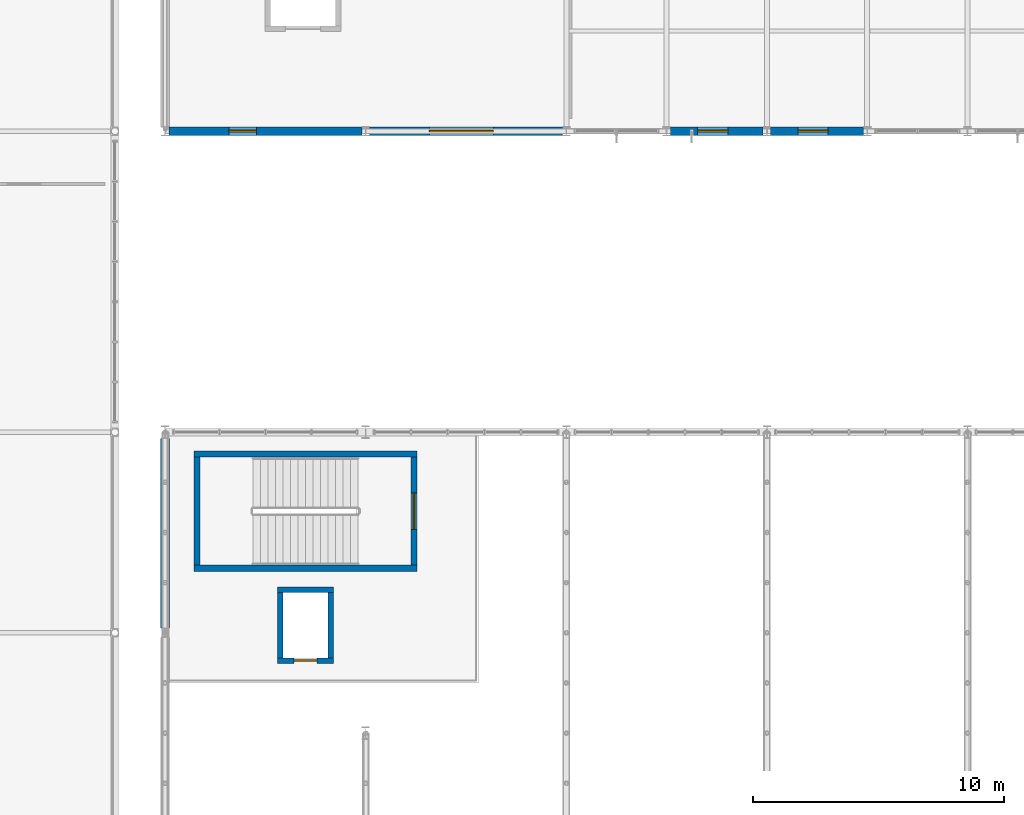
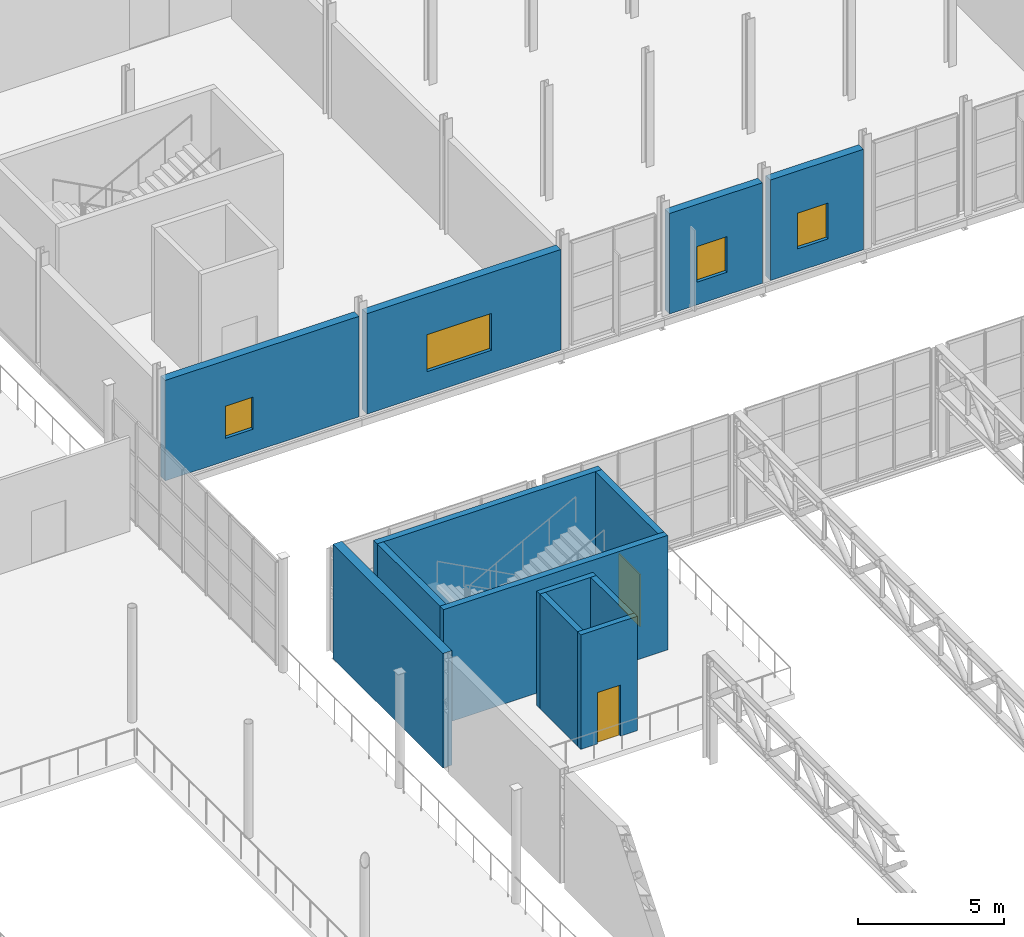
# One storey, part 123 of 143: 13 walls, 4 windows, 2 doors, 6 openings.
"""IFC4 building model written with IfcOpenShell, lengths in metres."""

from ifc_helpers import new_model, si_unit, derived_unit, direction, frame, frame_2d, origin, place, context, subcontext, project, spatial, rectangle, extrude, material, layer, layer_set, type_object, element, fill, save


model = new_model("IFC4")

# Units and contexts
model_context = context("Model", 3, precision=1e-05, world=origin(), true_north=direction((0.0, 1.0)))
body_context = subcontext(model_context, "Body", "Model", "MODEL_VIEW")
ifc_project = project(units=[si_unit("LENGTHUNIT", "METRE"), si_unit("AREAUNIT", "SQUARE_METRE"), si_unit("VOLUMEUNIT", "CUBIC_METRE"), si_unit("PLANEANGLEUNIT", "RADIAN"), si_unit("MASSUNIT", "GRAM", prefix="KILO"), derived_unit("THERMALTRANSMITTANCEUNIT", [(si_unit("POWERUNIT", "WATT"), 1), (si_unit("LENGTHUNIT", "METRE"), -2), (si_unit("THERMODYNAMICTEMPERATUREUNIT", "KELVIN"), -1)])], contexts=[model_context])

# Site, building, storey
site_placement = place(None, origin())
site = spatial("IfcSite", under=ifc_project, at=site_placement, CompositionType="ELEMENT")
building_placement = place(site_placement, origin())
building = spatial("IfcBuilding", under=site, at=building_placement, Name="Keldorne Ridge Multi-Sports Centre", CompositionType="ELEMENT")
storey_placement = place(building_placement, frame((0.0, 0.0, 4.800048828125)))
storey = spatial("IfcBuildingStorey", under=building, at=storey_placement, Name="L01", CompositionType="ELEMENT", Elevation=4.800048828125)

# Wall, opening, window
ifc_material_1 = material(Name="Precast concrete C40/50", Category="concrete")
ifc_layer_1 = layer(ifc_material_1, 0.320068359375)
ifc_layer_set_1 = layer_set([ifc_layer_1], Name="Precast concrete C40/50")
wall_type_1 = type_object("IfcWallType", Name="WAL-PR-W1", PredefinedType="STANDARD", material=ifc_layer_set_1)
wall_1_placement = place(storey_placement, frame((104.152099609375, 66.0, 0.0), z_axis=(0.0, 0.0, 1.0), x_axis=(1.0, 0.0, 0.0)))
wall_1 = element("IfcWall", 1, at=wall_1_placement, inside=storey, type_object=wall_type_1, Name="East Wing L01 south facade 1", PredefinedType="STANDARD", context=body_context, shape_type="SweptSolid", body=[
    extrude(rectangle(XDim=7.69580078125, YDim=0.320068359375, at=frame_2d((3.847900390625, 0.0))), origin(), (0.0, 0.0, 1.0), 4.21484375),
])
opening_1_placement = place(wall_1_placement, frame((2.387939453125, 0.0, 0.949951171875)))
opening_1 = element("IfcOpeningElement", 2, at=opening_1_placement, cuts=wall_1, Name="Opening W-14", PredefinedType="OPENING", context=body_context, shape_type="SweptSolid", body=[
    extrude(rectangle(XDim=1.10009765625, YDim=1.35009765625, at=frame_2d((0.550048828125, 0.675048828125))), frame((0.0, 0.169921875, 0.0), z_axis=(0.0, -1.0, 0.0), x_axis=(1.0, 0.0, 0.0)), (0.0, 0.0, 1.0), 0.340087890625),
])
ifc_material_2 = material(Name="Anodized aluminium", Category="aluminium")
window_type_1 = type_object("IfcWindowType", Name="WIN-W-14", PartitioningType="SINGLE_PANEL", PredefinedType="WINDOW", material=ifc_material_2)
window_1_placement = place(opening_1_placement, origin())
window_1 = element("IfcWindow", 3, at=window_1_placement, inside=storey, type_object=window_type_1, Name="East Wing L01 south window W-054", OverallHeight=1.35009765625, OverallWidth=1.10009765625, PartitioningType="SINGLE_PANEL", PredefinedType="WINDOW", context=body_context, shape_type="SweptSolid", body=[
    extrude(rectangle(XDim=1.10009765625, YDim=1.35009765625, at=frame_2d((0.550048828125, 0.675048828125))), frame((0.0, 0.030029296875, 0.0), z_axis=(0.0, -1.0, 0.0), x_axis=(1.0, 0.0, 0.0)), (0.0, 0.0, 1.0), 0.06005859375),
])
fill(opening_1, window_1)

wall_2_placement = place(storey_placement, frame((112.152099609375, 66.0, 0.0), z_axis=(0.0, 0.0, 1.0), x_axis=(1.0, 0.0, 0.0)))
wall_2 = element("IfcWall", 4, at=wall_2_placement, inside=storey, type_object=wall_type_1, Name="East Wing L01 south facade 2", PredefinedType="STANDARD", context=body_context, shape_type="SweptSolid", body=[
    extrude(rectangle(XDim=7.69580078125, YDim=0.320068359375, at=frame_2d((3.847900390625, 0.0))), origin(), (0.0, 0.0, 1.0), 4.21484375),
])
opening_2_placement = place(wall_2_placement, frame((2.387939453125, 0.0, 0.949951171875)))
opening_2 = element("IfcOpeningElement", 5, at=opening_2_placement, cuts=wall_2, Name="Opening W-15", PredefinedType="OPENING", context=body_context, shape_type="SweptSolid", body=[
    extrude(rectangle(XDim=2.550048828125, YDim=1.550048828125, at=frame_2d((1.27490234375, 0.77490234375))), frame((0.0, 0.169921875, 0.0), z_axis=(0.0, -1.0, 0.0), x_axis=(1.0, 0.0, 0.0)), (0.0, 0.0, 1.0), 0.340087890625),
])
window_type_2 = type_object("IfcWindowType", Name="WIN-W-15", PartitioningType="DOUBLE_PANEL_VERTICAL", PredefinedType="WINDOW", material=ifc_material_2)
window_2_placement = place(opening_2_placement, origin())
window_2 = element("IfcWindow", 6, at=window_2_placement, inside=storey, type_object=window_type_2, Name="East Wing L01 south window W-055", OverallHeight=1.550048828125, OverallWidth=2.550048828125, PartitioningType="SINGLE_PANEL", PredefinedType="WINDOW", context=body_context, shape_type="SweptSolid", body=[
    extrude(rectangle(XDim=2.550048828125, YDim=1.550048828125, at=frame_2d((1.27490234375, 0.77490234375))), frame((0.0, 0.030029296875, 0.0), z_axis=(0.0, -1.0, 0.0), x_axis=(1.0, 0.0, 0.0)), (0.0, 0.0, 1.0), 0.06005859375),
])
fill(opening_2, window_2)

wall_3_placement = place(storey_placement, frame((124.152099609375, 66.0, 0.0), z_axis=(0.0, 0.0, 1.0), x_axis=(1.0, 0.0, 0.0)))
wall_3 = element("IfcWall", 7, at=wall_3_placement, inside=storey, type_object=wall_type_1, Name="East Wing L01 south facade 4", PredefinedType="STANDARD", context=body_context, shape_type="SweptSolid", body=[
    extrude(rectangle(XDim=3.69580078125, YDim=0.320068359375, at=frame_2d((1.847900390625, 0.0))), origin(), (0.0, 0.0, 1.0), 4.21484375),
])
opening_3_placement = place(wall_3_placement, frame((1.087890625, 0.0, 0.949951171875)))
opening_3 = element("IfcOpeningElement", 8, at=opening_3_placement, cuts=wall_3, Name="Opening W-03", PredefinedType="OPENING", context=body_context, shape_type="SweptSolid", body=[
    extrude(rectangle(XDim=1.199951171875, YDim=1.5, at=frame_2d((0.60009765625, 0.75))), frame((0.0, 0.169921875, 0.0), z_axis=(0.0, -1.0, 0.0), x_axis=(1.0, 0.0, 0.0)), (0.0, 0.0, 1.0), 0.340087890625),
])
window_type_3 = type_object("IfcWindowType", Name="WIN-W-03", PartitioningType="SINGLE_PANEL", PredefinedType="WINDOW", material=ifc_material_2)
window_3_placement = place(opening_3_placement, origin())
window_3 = element("IfcWindow", 9, at=window_3_placement, inside=storey, type_object=window_type_3, Name="East Wing L01 south window W-056", OverallHeight=1.5, OverallWidth=1.199951171875, PartitioningType="SINGLE_PANEL", PredefinedType="WINDOW", context=body_context, shape_type="SweptSolid", body=[
    extrude(rectangle(XDim=1.199951171875, YDim=1.5, at=frame_2d((0.60009765625, 0.75))), frame((0.0, 0.030029296875, 0.0), z_axis=(0.0, -1.0, 0.0), x_axis=(1.0, 0.0, 0.0)), (0.0, 0.0, 1.0), 0.06005859375),
])
fill(opening_3, window_3)

wall_4_placement = place(storey_placement, frame((128.152099609375, 66.0, 0.0), z_axis=(0.0, 0.0, 1.0), x_axis=(1.0, 0.0, 0.0)))
wall_4 = element("IfcWall", 10, at=wall_4_placement, inside=storey, type_object=wall_type_1, Name="East Wing L01 south facade 5", PredefinedType="STANDARD", context=body_context, shape_type="SweptSolid", body=[
    extrude(rectangle(XDim=3.69580078125, YDim=0.320068359375, at=frame_2d((1.847900390625, 0.0))), origin(), (0.0, 0.0, 1.0), 4.21484375),
])
opening_4_placement = place(wall_4_placement, frame((1.087890625, 0.0, 0.949951171875)))
opening_4 = element("IfcOpeningElement", 11, at=opening_4_placement, cuts=wall_4, Name="Opening W-03", PredefinedType="OPENING", context=body_context, shape_type="SweptSolid", body=[
    extrude(rectangle(XDim=1.199951171875, YDim=1.5, at=frame_2d((0.60009765625, 0.75))), frame((0.0, 0.169921875, 0.0), z_axis=(0.0, -1.0, 0.0), x_axis=(1.0, 0.0, 0.0)), (0.0, 0.0, 1.0), 0.340087890625),
])
window_4_placement = place(opening_4_placement, origin())
window_4 = element("IfcWindow", 12, at=window_4_placement, inside=storey, type_object=window_type_3, Name="East Wing L01 south window W-057", OverallHeight=1.5, OverallWidth=1.199951171875, PartitioningType="SINGLE_PANEL", PredefinedType="WINDOW", context=body_context, shape_type="SweptSolid", body=[
    extrude(rectangle(XDim=1.199951171875, YDim=1.5, at=frame_2d((0.60009765625, 0.75))), frame((0.0, 0.030029296875, 0.0), z_axis=(0.0, -1.0, 0.0), x_axis=(1.0, 0.0, 0.0)), (0.0, 0.0, 1.0), 0.06005859375),
])
fill(opening_4, window_4)

# Wall
ifc_layer_2 = layer(ifc_material_1, 0.360107421875)
ifc_layer_set_2 = layer_set([ifc_layer_2], Name="Precast concrete C40/50")
wall_type_2 = type_object("IfcWallType", Name="WAL-PR-W2", PredefinedType="STANDARD", material=ifc_layer_set_2)
wall_5_placement = place(storey_placement, frame((104.0, 53.748046875, 0.0), z_axis=(0.0, 0.0, 1.0), x_axis=(0.0, -1.0, 0.0)))
element("IfcWall", 13, at=wall_5_placement, inside=storey, type_object=wall_type_2, Name="Stacked Courts movement-joint wall L01.6", PredefinedType="STANDARD", context=body_context, shape_type="SweptSolid", body=[
    extrude(rectangle(XDim=7.566162109375, YDim=0.360107421875, at=frame_2d((3.783203125, 0.0))), origin(), (0.0, 0.0, 1.0), 4.800048828125),
])

# Wall, opening, door
ifc_material_3 = material(Name="Concrete C40/50", Category="concrete")
ifc_layer_3 = layer(ifc_material_3, 0.25)
ifc_layer_set_3 = layer_set([ifc_layer_3], Name="Concrete C40/50")
wall_type_3 = type_object("IfcWallType", Name="WAL-SW01", PredefinedType="SHEAR", material=ifc_layer_set_3)
wall_6_placement = place(storey_placement, frame((113.925048828125, 48.699951171875, 0.0), z_axis=(0.0, 0.0, 1.0), x_axis=(0.0, 1.0, 0.0)))
wall_6 = element("IfcWall", 14, at=wall_6_placement, inside=storey, type_object=wall_type_3, Name="Stair ST-04 shaft wall L01 NEAR", PredefinedType="SHEAR", context=body_context, shape_type="SweptSolid", body=[
    extrude(rectangle(XDim=4.300048828125, YDim=0.25, at=frame_2d((2.14990234375, 0.0))), origin(), (0.0, 0.0, 1.0), 4.800048828125),
])
opening_5_placement = place(wall_6_placement, frame((1.425048828125, 0.0, 0.0)))
opening_5 = element("IfcOpeningElement", 15, at=opening_5_placement, cuts=wall_6, Name="Opening D-05", PredefinedType="OPENING", context=body_context, shape_type="SweptSolid", body=[
    extrude(rectangle(XDim=1.449951171875, YDim=2.199951171875, at=frame_2d((0.72509765625, 1.10009765625))), frame((0.0, 0.135009765625, 0.0), z_axis=(0.0, -1.0, 0.0), x_axis=(1.0, 0.0, 0.0)), (0.0, 0.0, 1.0), 0.27001953125),
])
ifc_material_4 = material(Name="Steel fire-resisting pair", Category="steel")
door_type_1 = type_object("IfcDoorType", Name="DR-D-05", OperationType="NOTDEFINED", PredefinedType="DOOR", material=ifc_material_4)
door_1_placement = place(opening_5_placement, origin())
door_1 = element("IfcDoor", 16, at=door_1_placement, inside=storey, type_object=door_type_1, Name="Stair ST-04 L01 fire door D-020", OperationType="DOUBLE_DOOR_SINGLE_SWING", OverallHeight=2.199951171875, OverallWidth=1.449951171875, PredefinedType="DOOR", context=body_context, shape_type="SweptSolid", body=[
    extrude(rectangle(XDim=1.449951171875, YDim=2.199951171875, at=frame_2d((0.72509765625, 1.10009765625))), frame((0.0, 0.02490234375, 0.0), z_axis=(0.0, -1.0, 0.0), x_axis=(1.0, 0.0, 0.0)), (0.0, 0.0, 1.0), 0.050048828125),
])
fill(opening_5, door_1)

# Walls
wall_7_placement = place(storey_placement, frame((105.27490234375, 53.0, 0.0), z_axis=(0.0, 0.0, 1.0), x_axis=(0.0, -1.0, 0.0)))
element("IfcWall", 17, at=wall_7_placement, inside=storey, type_object=wall_type_3, Name="Stair ST-04 shaft wall L01 FAR", PredefinedType="SHEAR", context=body_context, shape_type="SweptSolid", body=[
    extrude(rectangle(XDim=4.300048828125, YDim=0.25, at=frame_2d((2.14990234375, 0.0))), origin(), (0.0, 0.0, 1.0), 4.800048828125),
])
for number, where, z_axis, x_axis, name in (
    (18, (105.14990234375, 48.574951171875, 0.0), (0.0, 0.0, 1.0), (1.0, 0.0, 0.0), "Stair ST-04 shaft wall L01 SOUTH"),
    (19, (114.050048828125, 53.125, 0.0), (0.0, 0.0, 1.0), (-1.0, 0.0, 0.0), "Stair ST-04 shaft wall L01 NORTH"),
):
    element("IfcWall", number, at=place(storey_placement, frame(where, z_axis=z_axis, x_axis=x_axis)), inside=storey, type_object=wall_type_3, Name=name, PredefinedType="SHEAR", context=body_context, shape_type="SweptSolid", body=[
        extrude(rectangle(XDim=8.900146484375, YDim=0.25, at=frame_2d((4.4501953125, 0.0))), origin(), (0.0, 0.0, 1.0), 4.800048828125),
    ])

# Wall, opening, door
ifc_layer_4 = layer(ifc_material_3, 0.22998046875)
ifc_layer_set_4 = layer_set([ifc_layer_4], Name="Concrete C40/50")
wall_type_4 = type_object("IfcWallType", Name="WAL-SW02", PredefinedType="SHEAR", material=ifc_layer_set_4)
wall_8_placement = place(storey_placement, frame((108.47998046875, 44.889892578125, 0.0), z_axis=(0.0, 0.0, 1.0), x_axis=(1.0, 0.0, 0.0)))
wall_8 = element("IfcWall", 20, at=wall_8_placement, inside=storey, type_object=wall_type_4, Name="Lift L-03 shaft wall L01 south", PredefinedType="SHEAR", context=body_context, shape_type="SweptSolid", body=[
    extrude(rectangle(XDim=2.239990234375, YDim=0.219970703125, at=frame_2d((1.1201171875, 0.0))), origin(), (0.0, 0.0, 1.0), 4.800048828125),
])
opening_6_placement = place(wall_8_placement, frame((0.669921875, 0.0, 0.0)))
opening_6 = element("IfcOpeningElement", 21, at=opening_6_placement, cuts=wall_8, Name="Opening LD-02", PredefinedType="OPENING", context=body_context, shape_type="SweptSolid", body=[
    extrude(rectangle(XDim=0.89990234375, YDim=2.14990234375, at=frame_2d((0.449951171875, 1.074951171875))), frame((0.0, 0.1201171875, 0.0), z_axis=(0.0, -1.0, 0.0), x_axis=(1.0, 0.0, 0.0)), (0.0, 0.0, 1.0), 0.239990234375),
])
ifc_material_5 = material(Name="Stainless steel", Category="steel")
door_type_2 = type_object("IfcDoorType", Name="DR-LD-02", OperationType="NOTDEFINED", PredefinedType="DOOR", material=ifc_material_5)
door_2_placement = place(opening_6_placement, origin())
door_2 = element("IfcDoor", 22, at=door_2_placement, inside=storey, type_object=door_type_2, Name="Lift L-03 sliding landing door L01", OperationType="SLIDING_TO_LEFT", OverallHeight=2.14990234375, OverallWidth=0.89990234375, PredefinedType="DOOR", context=body_context, shape_type="SweptSolid", body=[
    extrude(rectangle(XDim=0.89990234375, YDim=2.14990234375, at=frame_2d((0.449951171875, 1.074951171875))), frame((0.0, 0.02490234375, 0.0), z_axis=(0.0, -1.0, 0.0), x_axis=(1.0, 0.0, 0.0)), (0.0, 0.0, 1.0), 0.050048828125),
])
fill(opening_6, door_2)

# Walls
wall_9_placement = place(storey_placement, frame((110.719970703125, 47.7099609375, 0.0), z_axis=(0.0, 0.0, 1.0), x_axis=(-1.0, 0.0, 0.0)))
element("IfcWall", 23, at=wall_9_placement, inside=storey, type_object=wall_type_4, Name="Lift L-03 shaft wall L01 north", PredefinedType="SHEAR", context=body_context, shape_type="SweptSolid", body=[
    extrude(rectangle(XDim=2.239990234375, YDim=0.219970703125, at=frame_2d((1.1201171875, 0.0))), origin(), (0.0, 0.0, 1.0), 4.800048828125),
])
for number, where, z_axis, x_axis, name in (
    (24, (108.590087890625, 47.60009765625, 0.0), (0.0, 0.0, 1.0), (0.0, -1.0, 0.0), "Lift L-03 shaft wall L01 west"),
    (25, (110.610107421875, 45.0, 0.0), (0.0, 0.0, 1.0), (0.0, 1.0, 0.0), "Lift L-03 shaft wall L01 east"),
):
    element("IfcWall", number, at=place(storey_placement, frame(where, z_axis=z_axis, x_axis=x_axis)), inside=storey, type_object=wall_type_4, Name=name, PredefinedType="SHEAR", context=body_context, shape_type="SweptSolid", body=[
        extrude(rectangle(XDim=2.60009765625, YDim=0.219970703125, at=frame_2d((1.300048828125, 0.0))), origin(), (0.0, 0.0, 1.0), 4.800048828125),
    ])

save(model, "model.ifc")
